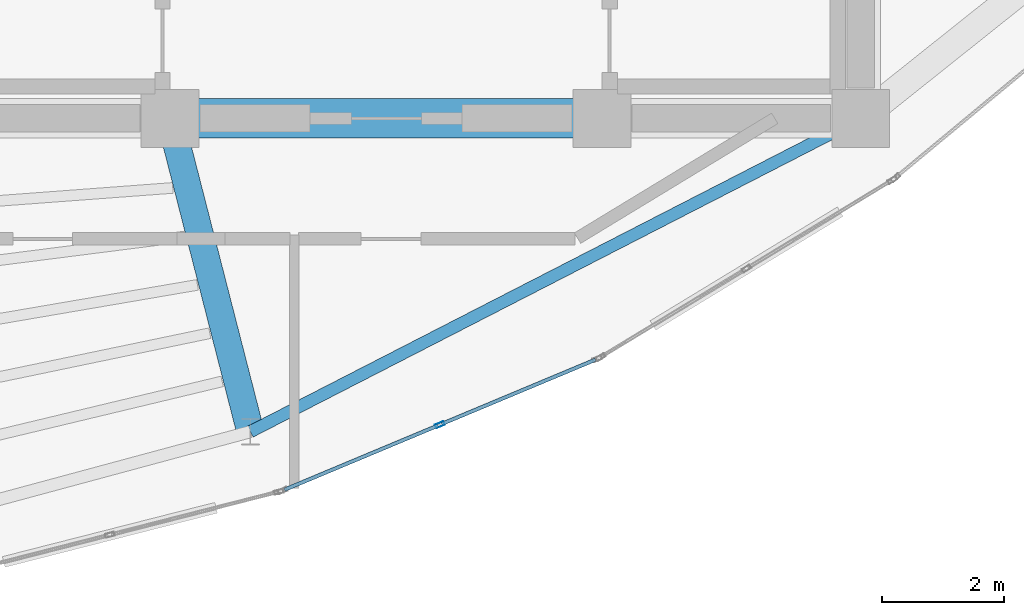
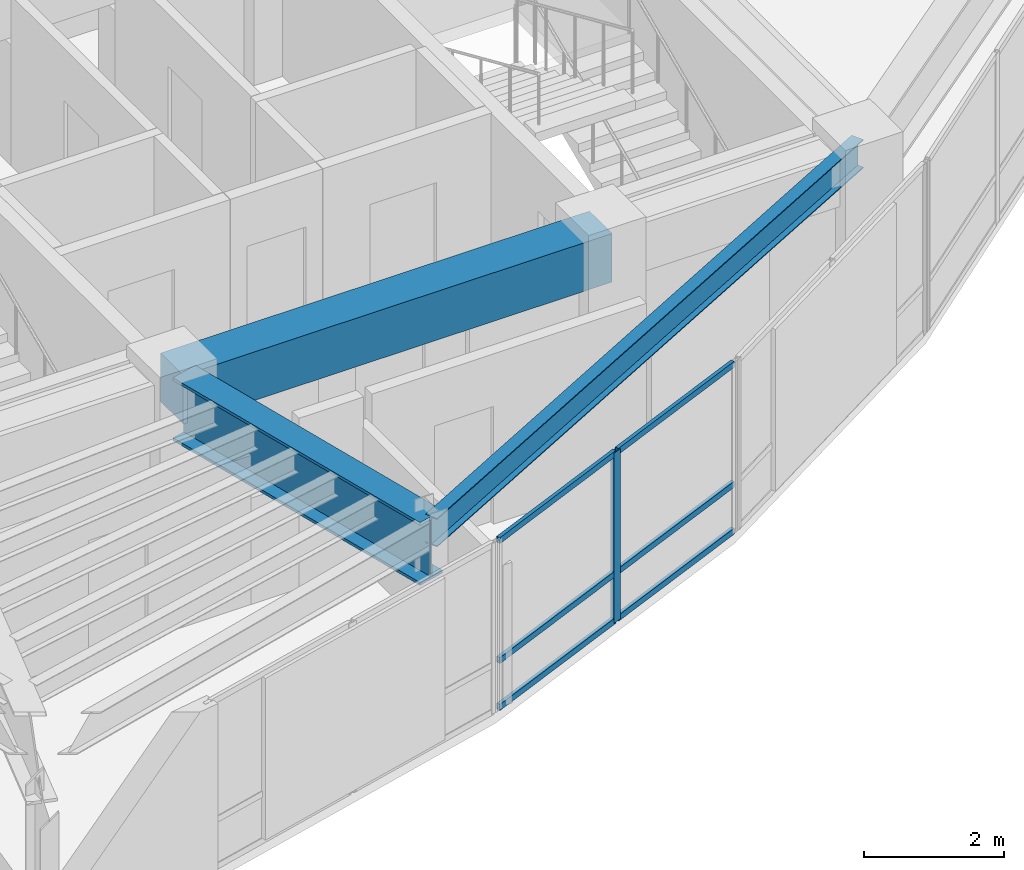
# One storey, part 3 of 14: 7 members, 3 beams, 1 element without a shape of its own.
"""IFC4 building model written with IfcOpenShell, lengths in metres."""

from ifc_helpers import new_model, si_unit, direction, frame, origin, origin_2d, place, context, subcontext, project, spatial, rectangle, hollow_rectangle, i_section, extrude, material, layer, layer_set, material_profile, profile_set, type_object, element, aggregate, save


model = new_model("IFC4")

# Units and contexts
model_context = context("Model", 3, precision=1e-05, world=origin(), true_north=direction((0.0, 1.0)))
body_context = subcontext(model_context, "Body", "Model", "MODEL_VIEW")
ifc_project = project(units=[si_unit("LENGTHUNIT", "METRE"), si_unit("AREAUNIT", "SQUARE_METRE"), si_unit("VOLUMEUNIT", "CUBIC_METRE"), si_unit("PLANEANGLEUNIT", "RADIAN"), si_unit("MASSUNIT", "GRAM", prefix="KILO")], contexts=[model_context])

# Site, building, storey
site_placement = place(None, origin())
site = spatial("IfcSite", under=ifc_project, at=site_placement, CompositionType="ELEMENT")
building_placement = place(site_placement, origin())
building = spatial("IfcBuilding", under=site, at=building_placement, Name="Menara Vayukalpa", CompositionType="ELEMENT")
storey_placement = place(building_placement, frame((0.0, 0.0, 308.820068359375)))
storey = spatial("IfcBuildingStorey", under=building, at=storey_placement, Name="L79", CompositionType="ELEMENT", Elevation=308.820068359375)

# Beams
ifc_material_1 = material(Name="Concrete C60/75", Category="concrete")
ifc_material_profile_1 = material_profile(ifc_material_1, rectangle(XDim=0.64990234375, YDim=0.85009765625, at=origin_2d()), Name="RC 650x850")
ifc_profile_set_1 = profile_set([ifc_material_profile_1], Name="Concrete C60/75")
beam_type_1 = type_object("IfcBeamType", Name="BM-CB1", PredefinedType="BEAM", material=ifc_profile_set_1)
beam_1_placement = place(storey_placement, frame((22.050048828125, 17.199951171875, 2.554931640625), z_axis=(1.0, 0.0, 0.0), x_axis=(0.0, 1.0, 0.0)))
element("IfcBeam", 1, at=beam_1_placement, inside=storey, type_object=beam_type_1, Name="L79 Core Tie Beam CBR2", PredefinedType="BEAM", context=body_context, shape_type="SweptSolid", body=[
    extrude(rectangle(XDim=0.64990234375, YDim=0.85009765625, at=origin_2d()), origin(), (0.0, 0.0, 1.0), 7.099853515625),
])
ifc_material_2 = material(Name="Steel S460", Category="steel")
ifc_material_profile_2 = material_profile(ifc_material_2, i_section(OverallWidth=0.449951171875, OverallDepth=1.10009765625, WebThickness=0.02490234375, FlangeThickness=0.050048828125, at=origin_2d()), Name="WG 1100x450x25x50")
ifc_profile_set_2 = profile_set([ifc_material_profile_2], Name="Steel S460")
beam_type_2 = type_object("IfcBeamType", Name="BM-MTG1", PredefinedType="BEAM", material=ifc_profile_set_2)
beam_2_placement = place(storey_placement, frame((22.112060546875, 16.957763671875, 2.429931640625), z_axis=(0.248427525231, -0.968650486351, 0.0), x_axis=(0.968650486351, 0.248427525231, 0.0)))
element("IfcBeam", 2, at=beam_2_placement, inside=storey, type_object=beam_type_2, Name="L79 Primary Radial Girder RG08", PredefinedType="BEAM", context=body_context, shape_type="SweptSolid", body=[
    extrude(i_section(OverallWidth=0.449951171875, OverallDepth=1.10009765625, WebThickness=0.02490234375, FlangeThickness=0.050048828125, at=origin_2d()), origin(), (0.0, 0.0, 1.0), 5.066162109375),
])
ifc_material_3 = material(Name="Steel S355", Category="steel")
ifc_material_profile_3 = material_profile(ifc_material_3, i_section(OverallWidth=0.199951171875, OverallDepth=0.5, WebThickness=0.010009765625, FlangeThickness=0.01611328125, at=origin_2d()), Name="WF 500x200x10x16")
ifc_profile_set_3 = profile_set([ifc_material_profile_3], Name="Steel S355")
beam_type_3 = type_object("IfcBeamType", Name="BM-SP3", PredefinedType="SPANDREL", material=ifc_profile_set_3)
beam_3_placement = place(storey_placement, frame((23.37060546875, 12.050537109375, 2.72998046875), z_axis=(0.889594604964, 0.456750959297, 0.0), x_axis=(-0.456750959297, 0.889594604964, 0.0)))
element("IfcBeam", 3, at=beam_3_placement, inside=storey, type_object=beam_type_3, Name="L79 Perimeter Spandrel Beam SP08", PredefinedType="SPANDREL", context=body_context, shape_type="SweptSolid", body=[
    extrude(i_section(OverallWidth=0.199951171875, OverallDepth=0.5, WebThickness=0.010009765625, FlangeThickness=0.01611328125, at=origin_2d()), origin(), (0.0, 0.0, 1.0), 11.27392578125),
])

# Curtain wall, members
ifc_material_4 = material(Name="Anodised Terracotta Aluminium Alloy 6063-T6", Category="masonry")
ifc_layer = layer(ifc_material_4, 0.14990234375)
ifc_layer_set = layer_set([ifc_layer], Name="Anodised Terracotta Aluminium Alloy 6063-T6")
curtain_wall_type = type_object("IfcCurtainWallType", Name="CW-CW7", PredefinedType="USERDEFINED", material=ifc_layer_set)
curtain_wall_placement = place(storey_placement, origin())
curtain_wall = element("IfcCurtainWall", 4, at=curtain_wall_placement, inside=storey, type_object=curtain_wall_type, Name="L79 Crown Drum Screened Curtain Wall CW7 16", ObjectType="UNITISED", PredefinedType="USERDEFINED")
ifc_material_5 = material(Name="Anodised Terracotta Aluminium Alloy 6063-T6", Category="masonry")
ifc_material_profile_4 = material_profile(ifc_material_5, hollow_rectangle(XDim=0.06494140625, YDim=0.14990234375, WallThickness=0.00341796875, at=origin_2d()), Name="ALU 65x150x3.5")
ifc_profile_set_4 = profile_set([ifc_material_profile_4], Name="Anodised Terracotta Aluminium Alloy 6063-T6")
member_type_1 = type_object("IfcMemberType", Name="CWM-CW7", PredefinedType="MULLION", material=ifc_profile_set_4)
member_1_placement = place(storey_placement, frame((26.48583984375, 12.16455078125, 0.0), z_axis=(0.0, 0.0, 1.0), x_axis=(-0.385898361946, 0.922541302191, 0.0)))
member_1 = element("IfcMember", 5, at=member_1_placement, type_object=member_type_1, Name="CW7 mullion 2", PredefinedType="MULLION", context=body_context, shape_type="SweptSolid", body=[
    extrude(hollow_rectangle(XDim=0.06494140625, YDim=0.14990234375, WallThickness=0.00341796875, at=origin_2d()), origin(), (0.0, 0.0, 1.0), 2.97998046875),
])
ifc_material_6 = material(Name="Anodised Terracotta Aluminium Alloy 6063-T6", Category="masonry")
ifc_material_profile_5 = material_profile(ifc_material_6, hollow_rectangle(XDim=0.06005859375, YDim=0.10498046875, WallThickness=0.0029296875, at=origin_2d()), Name="ALU 60x105x3")
ifc_profile_set_5 = profile_set([ifc_material_profile_5], Name="Anodised Terracotta Aluminium Alloy 6063-T6")
member_type_2 = type_object("IfcMemberType", Name="CWT-CW7", PredefinedType="USERDEFINED", material=ifc_profile_set_5)
member_2_placement = place(storey_placement, frame((23.929931640625, 11.095458984375, 0.030029296875), z_axis=(0.922532551431, 0.385919281132, 0.0), x_axis=(-0.385919281132, 0.922532551431, 0.0)))
member_2 = element("IfcMember", 6, at=member_2_placement, type_object=member_type_2, Name="CW7 transom 1.1", ObjectType="TRANSOM", PredefinedType="USERDEFINED", context=body_context, shape_type="SweptSolid", body=[
    extrude(hollow_rectangle(XDim=0.06005859375, YDim=0.10498046875, WallThickness=0.0029296875, at=origin_2d()), origin(), (0.0, 0.0, 1.0), 2.738037109375),
])
member_3_placement = place(storey_placement, frame((23.929931640625, 11.095458984375, 0.849853515625), z_axis=(0.922532551431, 0.385919281132, 0.0), x_axis=(-0.385919281132, 0.922532551431, 0.0)))
member_3 = element("IfcMember", 7, at=member_3_placement, type_object=member_type_2, Name="CW7 transom 1.2", ObjectType="TRANSOM", PredefinedType="USERDEFINED", context=body_context, shape_type="SweptSolid", body=[
    extrude(hollow_rectangle(XDim=0.06005859375, YDim=0.10498046875, WallThickness=0.0029296875, at=origin_2d()), origin(), (0.0, 0.0, 1.0), 2.738037109375),
])
member_4_placement = place(storey_placement, frame((23.929931640625, 11.095458984375, 2.949951171875), z_axis=(0.922532551431, 0.385919281132, 0.0), x_axis=(-0.385919281132, 0.922532551431, 0.0)))
member_4 = element("IfcMember", 8, at=member_4_placement, type_object=member_type_2, Name="CW7 transom 1.3", ObjectType="TRANSOM", PredefinedType="USERDEFINED", context=body_context, shape_type="SweptSolid", body=[
    extrude(hollow_rectangle(XDim=0.06005859375, YDim=0.10498046875, WallThickness=0.0029296875, at=origin_2d()), origin(), (0.0, 0.0, 1.0), 2.738037109375),
])
member_5_placement = place(storey_placement, frame((26.515869140625, 12.17724609375, 0.030029296875), z_axis=(0.922532551431, 0.385919281132, 0.0), x_axis=(-0.385919281132, 0.922532551431, 0.0)))
member_5 = element("IfcMember", 9, at=member_5_placement, type_object=member_type_2, Name="CW7 transom 2.1", ObjectType="TRANSOM", PredefinedType="USERDEFINED", context=body_context, shape_type="SweptSolid", body=[
    extrude(hollow_rectangle(XDim=0.06005859375, YDim=0.10498046875, WallThickness=0.0029296875, at=origin_2d()), origin(), (0.0, 0.0, 1.0), 2.738037109375),
])
member_6_placement = place(storey_placement, frame((26.515869140625, 12.17724609375, 0.849853515625), z_axis=(0.922532551431, 0.385919281132, 0.0), x_axis=(-0.385919281132, 0.922532551431, 0.0)))
member_6 = element("IfcMember", 10, at=member_6_placement, type_object=member_type_2, Name="CW7 transom 2.2", ObjectType="TRANSOM", PredefinedType="USERDEFINED", context=body_context, shape_type="SweptSolid", body=[
    extrude(hollow_rectangle(XDim=0.06005859375, YDim=0.10498046875, WallThickness=0.0029296875, at=origin_2d()), origin(), (0.0, 0.0, 1.0), 2.738037109375),
])
member_7_placement = place(storey_placement, frame((26.515869140625, 12.17724609375, 2.949951171875), z_axis=(0.922532551431, 0.385919281132, 0.0), x_axis=(-0.385919281132, 0.922532551431, 0.0)))
member_7 = element("IfcMember", 11, at=member_7_placement, type_object=member_type_2, Name="CW7 transom 2.3", ObjectType="TRANSOM", PredefinedType="USERDEFINED", context=body_context, shape_type="SweptSolid", body=[
    extrude(hollow_rectangle(XDim=0.06005859375, YDim=0.10498046875, WallThickness=0.0029296875, at=origin_2d()), origin(), (0.0, 0.0, 1.0), 2.738037109375),
])
aggregate(curtain_wall, [member_1, member_2, member_3, member_4, member_5, member_6, member_7])

save(model, "model.ifc")
